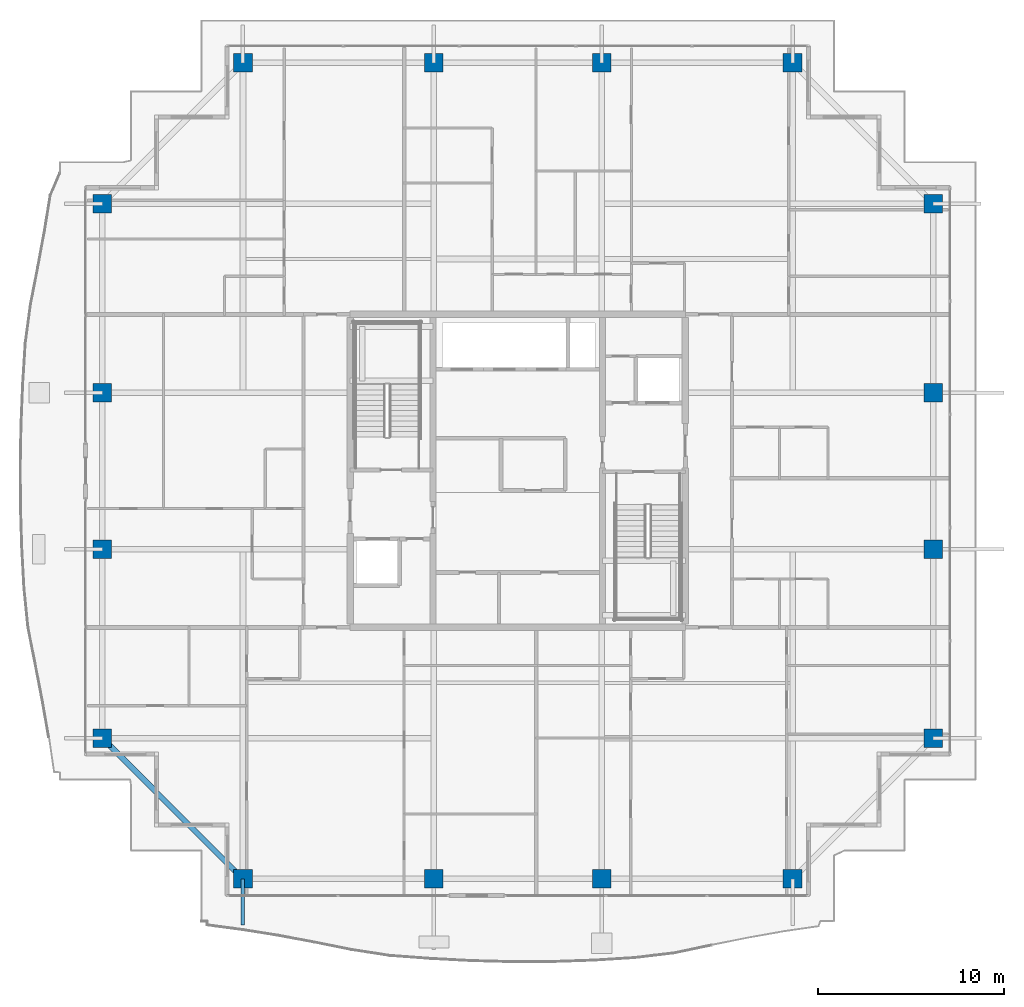
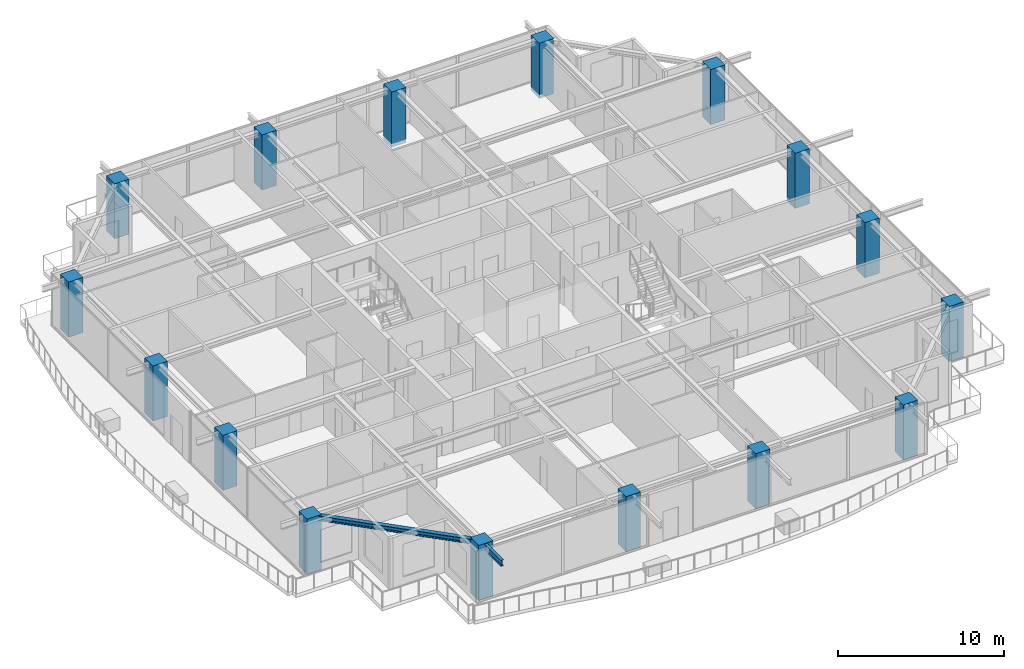
# One storey, part 1 of 38: 16 columns, 2 beams.
"""IFC4 building model written with IfcOpenShell, lengths in metres."""

from ifc_helpers import new_model, si_unit, direction, frame, origin, origin_2d, place, context, subcontext, project, spatial, rectangle, i_section, extrude, source, transform, mapped, material, material_profile, profile_set, type_object, element, save


model = new_model("IFC4")

# Units and contexts
model_context = context("Model", 3, precision=1e-05, world=origin(), true_north=direction((0.0, 1.0)))
body_context = subcontext(model_context, "Body", "Model", "MODEL_VIEW")
ifc_project = project(units=[si_unit("LENGTHUNIT", "METRE"), si_unit("AREAUNIT", "SQUARE_METRE"), si_unit("VOLUMEUNIT", "CUBIC_METRE"), si_unit("PLANEANGLEUNIT", "RADIAN"), si_unit("MASSUNIT", "GRAM", prefix="KILO")], contexts=[model_context])

# Site, building, storey
site_placement = place(None, origin())
site = spatial("IfcSite", under=ifc_project, at=site_placement, CompositionType="ELEMENT")
building_placement = place(site_placement, origin())
building = spatial("IfcBuilding", under=site, at=building_placement, Name="Serunith Strait Residences", CompositionType="ELEMENT")
storey_placement = place(building_placement, frame((0.0, 0.0, 321.800048828125)))
storey = spatial("IfcBuildingStorey", under=building, at=storey_placement, Name="L80", CompositionType="ELEMENT", Elevation=321.800048828125)

# Columns
ifc_material_1 = material(Name="Concrete C70/85", Category="concrete")
ifc_material_profile_1 = material_profile(ifc_material_1, rectangle(XDim=1.0, YDim=1.0, at=origin_2d()), Name="RC 1000x1000")
ifc_profile_set_1 = profile_set([ifc_material_profile_1], Name="Concrete C70/85")
column_type = type_object("IfcColumnType", Name="COL-RC-1000", PredefinedType="COLUMN", material=ifc_profile_set_1)
shared_shape_1 = source(origin(), body_context, "Body", "SweptSolid", [
    extrude(rectangle(XDim=1.0, YDim=1.0, at=origin_2d()), origin(), (0.0, 0.0, 1.0), 4.050048828125),
])
for number, where, z_axis, x_axis, name in (
    (1, (17.64990234375, 3.300048828125, -0.260009765625), (0.0, 0.0, 1.0), (1.0, 0.0, 0.0), "L80 Tower Mega-Column TC-S1"),
    (2, (27.89990234375, 3.300048828125, -0.260009765625), (0.0, 0.0, 1.0), (1.0, 0.0, 0.0), "L80 Tower Mega-Column TC-S2"),
    (3, (36.89990234375, 3.300048828125, -0.260009765625), (0.0, 0.0, 1.0), (1.0, 0.0, 0.0), "L80 Tower Mega-Column TC-S3"),
    (4, (47.14990234375, 3.300048828125, -0.260009765625), (0.0, 0.0, 1.0), (1.0, 0.0, 0.0), "L80 Tower Mega-Column TC-S4"),
    (5, (17.64990234375, 47.10009765625, -0.260009765625), (0.0, 0.0, 1.0), (1.0, 0.0, 0.0), "L80 Tower Mega-Column TC-N1"),
    (6, (27.89990234375, 47.10009765625, -0.260009765625), (0.0, 0.0, 1.0), (1.0, 0.0, 0.0), "L80 Tower Mega-Column TC-N2"),
    (7, (36.89990234375, 47.10009765625, -0.260009765625), (0.0, 0.0, 1.0), (1.0, 0.0, 0.0), "L80 Tower Mega-Column TC-N3"),
    (8, (47.14990234375, 47.10009765625, -0.260009765625), (0.0, 0.0, 1.0), (1.0, 0.0, 0.0), "L80 Tower Mega-Column TC-N4"),
    (9, (54.699951171875, 10.85009765625, -0.260009765625), (0.0, 0.0, 1.0), (1.0, 0.0, 0.0), "L80 Tower Mega-Column TC-E1"),
    (10, (54.699951171875, 21.0, -0.260009765625), (0.0, 0.0, 1.0), (1.0, 0.0, 0.0), "L80 Tower Mega-Column TC-E2"),
    (11, (54.699951171875, 29.39990234375, -0.260009765625), (0.0, 0.0, 1.0), (1.0, 0.0, 0.0), "L80 Tower Mega-Column TC-E3"),
    (12, (54.699951171875, 39.550048828125, -0.260009765625), (0.0, 0.0, 1.0), (1.0, 0.0, 0.0), "L80 Tower Mega-Column TC-E4"),
    (13, (10.10009765625, 10.85009765625, -0.260009765625), (0.0, 0.0, 1.0), (1.0, 0.0, 0.0), "L80 Tower Mega-Column TC-W1"),
    (14, (10.10009765625, 21.0, -0.260009765625), (0.0, 0.0, 1.0), (1.0, 0.0, 0.0), "L80 Tower Mega-Column TC-W2"),
    (15, (10.10009765625, 29.39990234375, -0.260009765625), (0.0, 0.0, 1.0), (1.0, 0.0, 0.0), "L80 Tower Mega-Column TC-W3"),
    (16, (10.10009765625, 39.550048828125, -0.260009765625), (0.0, 0.0, 1.0), (1.0, 0.0, 0.0), "L80 Tower Mega-Column TC-W4"),
):
    element("IfcColumn", number, at=place(storey_placement, frame(where, z_axis=z_axis, x_axis=x_axis)), inside=storey, type_object=column_type, Name=name, PredefinedType="COLUMN", context=body_context, shape_type="MappedRepresentation", body=[
        mapped(shared_shape_1, transform((0.0, 0.0, 0.0), scale=1.0)),
    ])

# Beams
ifc_material_2 = material(Name="Steel S355J2", Category="steel")
ifc_material_profile_2 = material_profile(ifc_material_2, i_section(OverallWidth=0.300048828125, OverallDepth=0.360107421875, WebThickness=0.012451171875, FlangeThickness=0.0224609375, FilletRadius=0.027099609375, at=origin_2d()), Name="HEB 360")
ifc_profile_set_2 = profile_set([ifc_material_profile_2], Name="Steel S355J2")
beam_type_1 = type_object("IfcBeamType", Name="BM-HEB360", PredefinedType="BEAM", material=ifc_profile_set_2)
shared_shape_2 = source(origin(), body_context, "Body", "SweptSolid", [
    extrude(i_section(OverallWidth=0.300048828125, OverallDepth=0.360107421875, WebThickness=0.012451171875, FlangeThickness=0.0224609375, FilletRadius=0.027099609375, at=origin_2d()), origin(), (0.0, 0.0, 1.0), 10.67724609375),
])
beam_1_placement = place(storey_placement, frame((10.10009765625, 10.85009765625, 3.576904296875), z_axis=(0.707095348302, -0.707118213887, 0.0), x_axis=(0.707118213887, 0.707095348302, 0.0)))
element("IfcBeam", 17, at=beam_1_placement, inside=storey, type_object=beam_type_1, Name="L80 Perimeter Ring Beam 16", PredefinedType="BEAM", context=body_context, shape_type="MappedRepresentation", body=[
    mapped(shared_shape_2, transform((0.0, 0.0, 0.0), scale=1.0)),
])
ifc_material_profile_3 = material_profile(ifc_material_2, i_section(OverallWidth=0.18994140625, OverallDepth=0.449951171875, WebThickness=0.009521484375, FlangeThickness=0.0146484375, FilletRadius=0.02099609375, at=origin_2d()), Name="IPE 450")
ifc_profile_set_3 = profile_set([ifc_material_profile_3], Name="Steel S355J2")
beam_type_2 = type_object("IfcBeamType", Name="BM-IPE450", PredefinedType="JOIST", material=ifc_profile_set_3)
shared_shape_3 = source(origin(), body_context, "Body", "SweptSolid", [
    extrude(i_section(OverallWidth=0.18994140625, OverallDepth=0.449951171875, WebThickness=0.009521484375, FlangeThickness=0.0146484375, FilletRadius=0.02099609375, at=origin_2d()), origin(), (0.0, 0.0, 1.0), 2.480712890625),
])
beam_2_placement = place(storey_placement, frame((17.64990234375, 3.300048828125, 3.531982421875), z_axis=(0.0, -1.0, 0.0), x_axis=(1.0, 0.0, 0.0)))
element("IfcBeam", 18, at=beam_2_placement, inside=storey, type_object=beam_type_2, Name="L81 Cantilevered Balcony Rib TC-S1", PredefinedType="JOIST", context=body_context, shape_type="MappedRepresentation", body=[
    mapped(shared_shape_3, transform((0.0, 0.0, 0.0), scale=1.0)),
])

save(model, "model.ifc")
